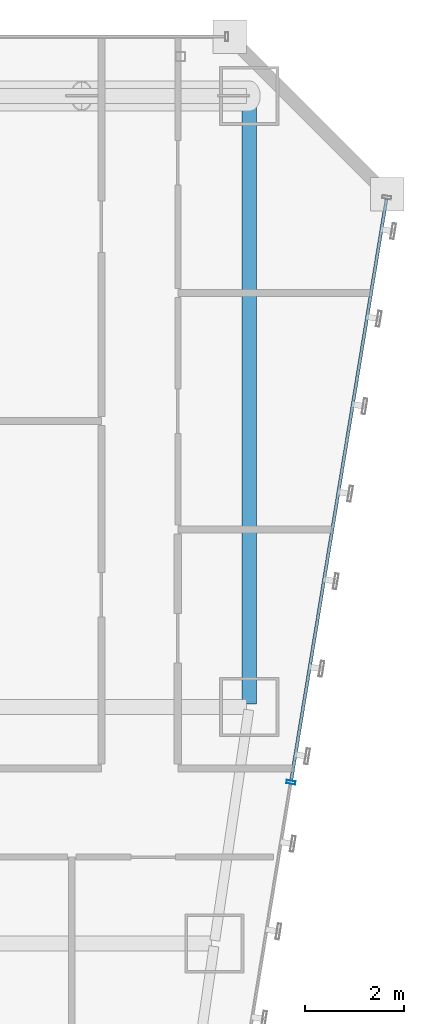
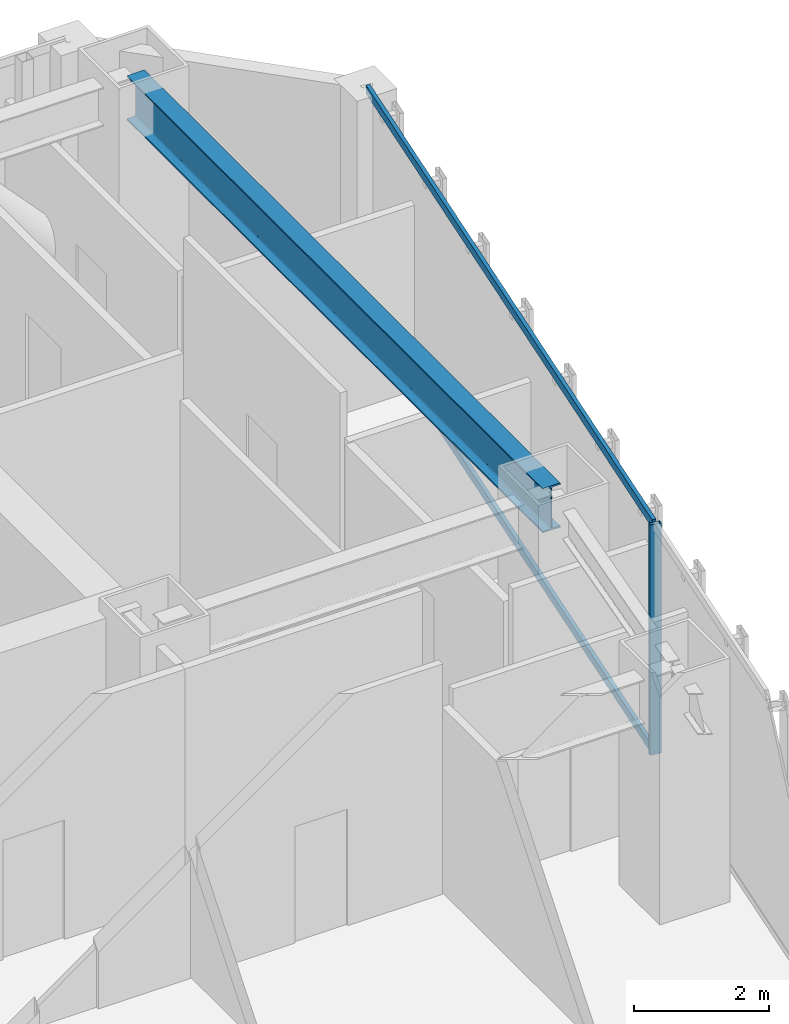
# One storey, part 31 of 47: 3 members, 1 beam, 1 element without a shape of its own.
"""IFC4 building model written with IfcOpenShell, lengths in metres."""

from ifc_helpers import new_model, si_unit, direction, frame, origin, origin_2d, place, context, subcontext, project, spatial, hollow_rectangle, i_section, extrude, material, material_profile, profile_set, type_object, element, aggregate, save


model = new_model("IFC4")

# Units and contexts
model_context = context("Model", 3, precision=1e-05, world=origin(), true_north=direction((0.0, 1.0)))
body_context = subcontext(model_context, "Body", "Model", "MODEL_VIEW")
ifc_project = project(units=[si_unit("LENGTHUNIT", "METRE"), si_unit("AREAUNIT", "SQUARE_METRE"), si_unit("VOLUMEUNIT", "CUBIC_METRE"), si_unit("PLANEANGLEUNIT", "RADIAN"), si_unit("MASSUNIT", "GRAM", prefix="KILO")], contexts=[model_context])

# Site, building, storey
site_placement = place(None, origin())
site = spatial("IfcSite", under=ifc_project, at=site_placement, CompositionType="ELEMENT")
building_placement = place(site_placement, origin())
building = spatial("IfcBuilding", under=site, at=building_placement, Name="Saevonmaru Cultural Tower", CompositionType="ELEMENT")
storey_placement = place(building_placement, frame((0.0, 0.0, 60.39990234375)))
storey = spatial("IfcBuildingStorey", under=building, at=storey_placement, Name="L12", CompositionType="ELEMENT", Elevation=60.39990234375)

# Beam
ifc_material_1 = material(Name="Steel SM420", Category="steel")
ifc_material_profile_1 = material_profile(ifc_material_1, i_section(OverallWidth=0.300048828125, OverallDepth=0.800048828125, WebThickness=0.013916015625, FlangeThickness=0.02587890625, FilletRadius=0.028076171875, at=origin_2d()), Name="H-800x300x14x26")
ifc_profile_set_1 = profile_set([ifc_material_profile_1], Name="Steel SM420")
beam_type = type_object("IfcBeamType", Name="BM-G-H800", PredefinedType="BEAM", material=ifc_profile_set_1)
beam_placement = place(storey_placement, frame((53.199951171875, 54.739990234375, 3.75), z_axis=(0.0, -1.0, 0.0), x_axis=(1.0, 0.0, 0.0)))
element("IfcBeam", 1, at=beam_placement, inside=storey, type_object=beam_type, Name="L12 Spine Transverse Girder E", PredefinedType="BEAM", context=body_context, shape_type="SweptSolid", body=[
    extrude(i_section(OverallWidth=0.300048828125, OverallDepth=0.800048828125, WebThickness=0.013916015625, FlangeThickness=0.02587890625, FilletRadius=0.028076171875, at=origin_2d()), origin(), (0.0, 0.0, 1.0), 12.280029296875),
])

# Curtain wall, members
ifc_material_2 = material(Name="Satin Bronze Anodised Aluminium", Category="aluminium")
curtain_wall_type = type_object("IfcCurtainWallType", Name="CW-TYP-A", PredefinedType="NOTDEFINED", material=ifc_material_2)
curtain_wall_placement = place(storey_placement, origin())
curtain_wall = element("IfcCurtainWall", 2, at=curtain_wall_placement, inside=storey, type_object=curtain_wall_type, Name="L12 Unitised Curtain Wall E8", PredefinedType="NOTDEFINED")
ifc_material_profile_2 = material_profile(ifc_material_2, hollow_rectangle(XDim=0.06494140625, YDim=0.179931640625, WallThickness=0.00390625, at=origin_2d()), Name="ALU-MULL-180x65x4")
ifc_profile_set_2 = profile_set([ifc_material_profile_2], Name="Satin Bronze Anodised Aluminium")
member_type_1 = type_object("IfcMemberType", Name="ML-CW-180x65", PredefinedType="MULLION", material=ifc_profile_set_2)
member_1_placement = place(storey_placement, frame((54.045166015625, 40.870361328125, 0.0), z_axis=(0.0, 0.0, 1.0), x_axis=(0.161708868641, 0.986838508472, 0.0)))
member_1 = element("IfcMember", 3, at=member_1_placement, type_object=member_type_1, Name="CW-TW-L12-E8 mullion 4", PredefinedType="MULLION", context=body_context, shape_type="SweptSolid", body=[
    extrude(hollow_rectangle(XDim=0.06494140625, YDim=0.179931640625, WallThickness=0.00390625, at=origin_2d()), origin(), (0.0, 0.0, 1.0), 4.150146484375),
])
ifc_material_profile_3 = material_profile(ifc_material_2, hollow_rectangle(XDim=0.06494140625, YDim=0.14990234375, WallThickness=0.00390625, at=origin_2d()), Name="ALU-TRAN-150x65x4")
ifc_profile_set_3 = profile_set([ifc_material_profile_3], Name="Satin Bronze Anodised Aluminium")
member_type_2 = type_object("IfcMemberType", Name="TR-CW-150x65", PredefinedType="USERDEFINED", material=ifc_profile_set_3)
member_2_placement = place(storey_placement, frame((54.05029296875, 40.902587890625, 0.03271484375), z_axis=(0.161724530373, 0.986835941925, 0.0), x_axis=(-0.986835941925, 0.161724530373, 0.0)))
member_2 = element("IfcMember", 4, at=member_2_placement, type_object=member_type_2, Name="CW-TW-L12-E8 transom 4.1", ObjectType="TRANSOM", PredefinedType="USERDEFINED", context=body_context, shape_type="SweptSolid", body=[
    extrude(hollow_rectangle(XDim=0.06494140625, YDim=0.14990234375, WallThickness=0.00390625, at=origin_2d()), origin(), (0.0, 0.0, 1.0), 11.963623046875),
])
member_3_placement = place(storey_placement, frame((54.05029296875, 40.902587890625, 4.11767578125), z_axis=(0.161724530373, 0.986835941925, 0.0), x_axis=(-0.986835941925, 0.161724530373, 0.0)))
member_3 = element("IfcMember", 5, at=member_3_placement, type_object=member_type_2, Name="CW-TW-L12-E8 transom 4.2", ObjectType="TRANSOM", PredefinedType="USERDEFINED", context=body_context, shape_type="SweptSolid", body=[
    extrude(hollow_rectangle(XDim=0.06494140625, YDim=0.14990234375, WallThickness=0.00390625, at=origin_2d()), origin(), (0.0, 0.0, 1.0), 11.963623046875),
])
aggregate(curtain_wall, [member_1, member_2, member_3])

save(model, "model.ifc")
